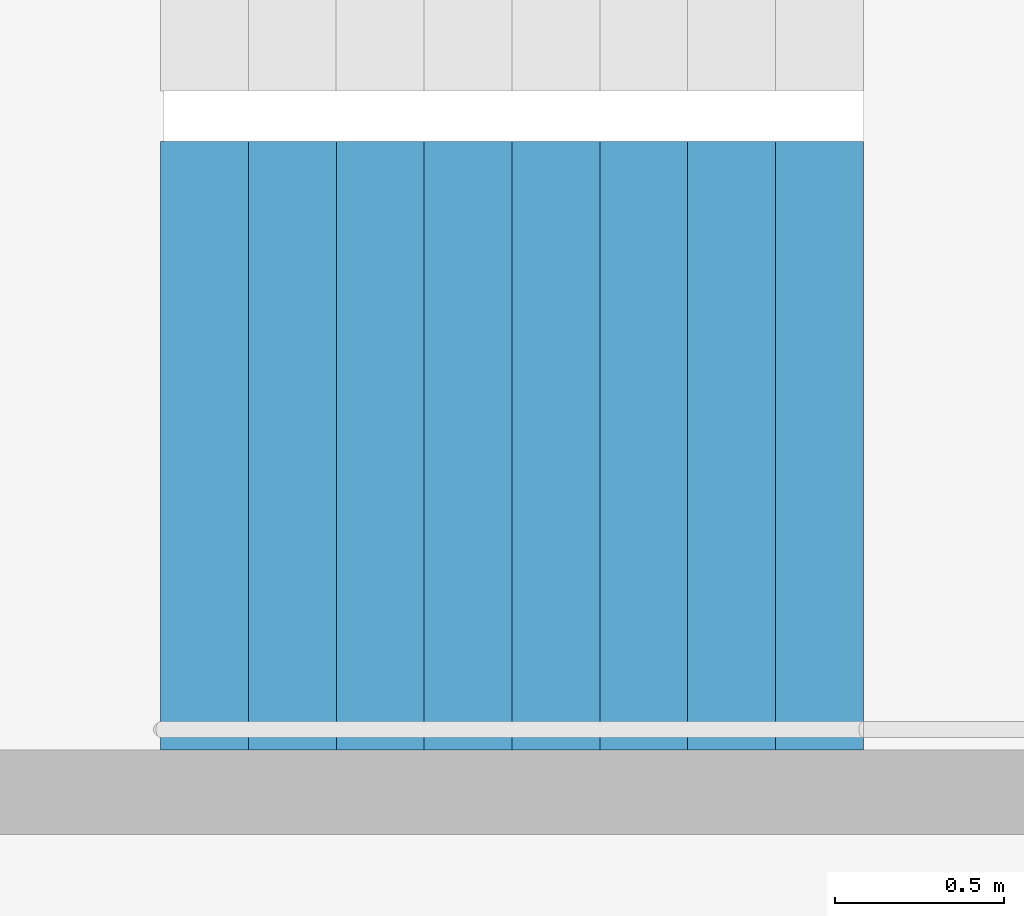
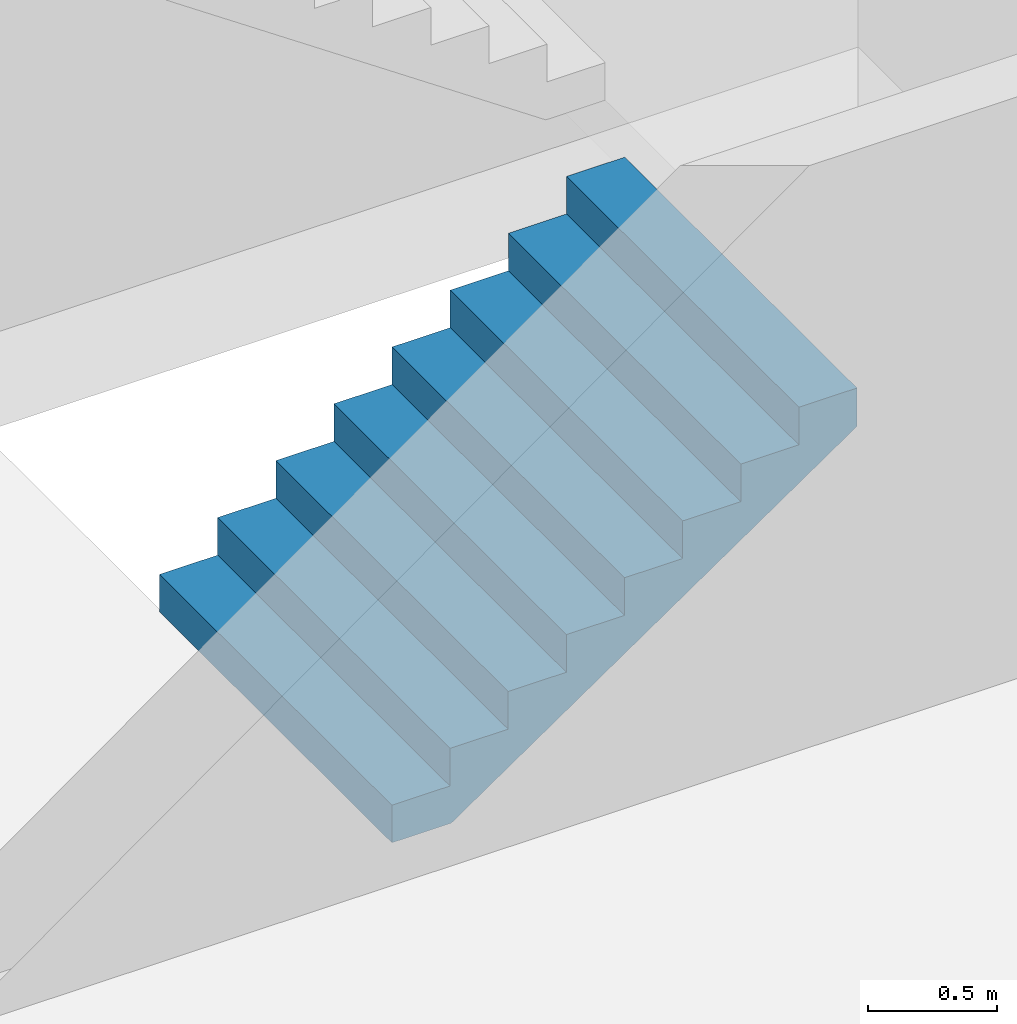
# One storey, part 20 of 26: 1 stair flight, 1 element without a shape of its own.
"""IFC4 building model written with IfcOpenShell, lengths in metres."""

from ifc_helpers import new_model, si_unit, direction, frame, origin, place, context, subcontext, project, spatial, triangles, material, type_object, element, aggregate, save


model = new_model("IFC4")

# Units and contexts
model_context = context("Model", 3, precision=1e-05, world=origin(), true_north=direction((0.0, 1.0)))
body_context = subcontext(model_context, "Body", "Model", "MODEL_VIEW")
ifc_project = project(units=[si_unit("LENGTHUNIT", "METRE"), si_unit("AREAUNIT", "SQUARE_METRE"), si_unit("VOLUMEUNIT", "CUBIC_METRE"), si_unit("PLANEANGLEUNIT", "RADIAN"), si_unit("MASSUNIT", "GRAM", prefix="KILO")], contexts=[model_context])

# Site, building, storey
site_placement = place(None, origin())
site = spatial("IfcSite", under=ifc_project, at=site_placement, CompositionType="ELEMENT")
building_placement = place(site_placement, origin())
building = spatial("IfcBuilding", under=site, at=building_placement, Name="Hakoniwa Tower and Hamabe Station Hall", CompositionType="ELEMENT")
storey_placement = place(building_placement, frame((0.0, 0.0, 196.199951171875)))
storey = spatial("IfcBuildingStorey", under=building, at=storey_placement, Name="L55", CompositionType="ELEMENT", Elevation=196.199951171875)

# Stair, stair flight
ifc_material_1 = material(Name="Concrete C40", Category="concrete")
stair_type = type_object("IfcStairType", Name="ESCAPE STAIR 1800", PredefinedType="HALF_TURN_STAIR", material=ifc_material_1)
stair_placement = place(storey_placement, origin())
stair = element("IfcStair", 1, at=stair_placement, inside=storey, type_object=stair_type, Name="Escape stair ST-1 L55", PredefinedType="HALF_TURN_STAIR")
ifc_material_2 = material(Name="Concrete C40", Category="concrete")
stair_flight_type = type_object("IfcStairFlightType", Name="STAIR FLIGHT 1800", PredefinedType="STRAIGHT", material=ifc_material_2)
stair_flight_placement = place(storey_placement, frame((-24.39990234375, 4.64990234375, 0.0), z_axis=(0.0, 0.0, 1.0), x_axis=(1.0, 0.0, 0.0)))
stair_flight = element("IfcStairFlight", 2, at=stair_flight_placement, type_object=stair_flight_type, Name="ST-1 flight 1", NumberOfRisers=9, NumberOfTreads=8, PredefinedType="STRAIGHT", RiserHeight=0.177777778, TreadLength=0.26, context=body_context, shape_type="Tessellation", body=[
    triangles([(0.0, 0.89990234375, 0.0), (0.260009765625, 0.89990234375, 0.0), (0.265625, 0.89990234375, 0.0), (0.52001953125, 0.89990234375, 0.174072265625), (0.780029296875, 0.89990234375, 0.351806640625), (1.0400390625, 0.89990234375, 0.529541015625), (1.300048828125, 0.89990234375, 0.707275390625), (1.56005859375, 0.89990234375, 0.885009765625), (1.820068359375, 0.89990234375, 1.062744140625), (2.080078125, 0.89990234375, 1.24072265625), (2.080078125, 0.89990234375, 1.422119140625), (1.820068359375, 0.89990234375, 1.422119140625), (1.820068359375, 0.89990234375, 1.244384765625), (1.56005859375, 0.89990234375, 1.244384765625), (1.56005859375, 0.89990234375, 1.066650390625), (1.300048828125, 0.89990234375, 1.066650390625), (1.300048828125, 0.89990234375, 0.888916015625), (1.0400390625, 0.89990234375, 0.888916015625), (1.0400390625, 0.89990234375, 0.711181640625), (0.780029296875, 0.89990234375, 0.711181640625), (0.780029296875, 0.89990234375, 0.533447265625), (0.52001953125, 0.89990234375, 0.533447265625), (0.52001953125, 0.89990234375, 0.35546875), (0.265625, 0.89990234375, 0.35546875), (0.260009765625, 0.89990234375, 0.35546875), (0.260009765625, 0.89990234375, 0.177734375), (0.0, 0.89990234375, 0.177734375), (0.0, 0.06005859375, 0.0), (0.260009765625, 0.06005859375, 0.0), (0.265625, 0.06005859375, 0.0), (0.52001953125, 0.06005859375, 0.174072265625), (0.780029296875, 0.06005859375, 0.351806640625), (1.0400390625, 0.06005859375, 0.529541015625), (1.300048828125, 0.06005859375, 0.707275390625), (1.56005859375, 0.06005859375, 0.885009765625), (1.820068359375, 0.06005859375, 1.062744140625), (2.080078125, 0.06005859375, 1.24072265625), (2.080078125, 0.06005859375, 1.422119140625), (1.820068359375, 0.06005859375, 1.422119140625), (1.820068359375, 0.06005859375, 1.244384765625), (1.56005859375, 0.06005859375, 1.244384765625), (1.56005859375, 0.06005859375, 1.066650390625), (1.300048828125, 0.06005859375, 1.066650390625), (1.300048828125, 0.06005859375, 0.888916015625), (1.0400390625, 0.06005859375, 0.888916015625), (1.0400390625, 0.06005859375, 0.711181640625), (0.780029296875, 0.06005859375, 0.711181640625), (0.780029296875, 0.06005859375, 0.533447265625), (0.52001953125, 0.06005859375, 0.533447265625), (0.52001953125, 0.06005859375, 0.35546875), (0.265625, 0.06005859375, 0.35546875), (0.260009765625, 0.06005859375, 0.35546875), (0.260009765625, 0.06005859375, 0.177734375), (0.0, 0.06005859375, 0.177734375), (0.0, 0.04296875, 0.0), (0.260009765625, 0.04296875, 0.0), (0.265625, 0.04296875, 0.0), (0.52001953125, 0.04296875, 0.174072265625), (0.780029296875, 0.04296875, 0.351806640625), (1.0400390625, 0.04296875, 0.529541015625), (1.300048828125, 0.04296875, 0.707275390625), (1.56005859375, 0.04296875, 0.885009765625), (1.820068359375, 0.04296875, 1.062744140625), (2.080078125, 0.04296875, 1.24072265625), (2.080078125, 0.04296875, 1.422119140625), (1.820068359375, 0.04296875, 1.422119140625), (1.820068359375, 0.04296875, 1.244384765625), (1.56005859375, 0.04296875, 1.244384765625), (1.56005859375, 0.04296875, 1.066650390625), (1.300048828125, 0.04296875, 1.066650390625), (1.300048828125, 0.04296875, 0.888916015625), (1.0400390625, 0.04296875, 0.888916015625), (1.0400390625, 0.04296875, 0.711181640625), (0.780029296875, 0.04296875, 0.711181640625), (0.780029296875, 0.04296875, 0.533447265625), (0.52001953125, 0.04296875, 0.533447265625), (0.52001953125, 0.04296875, 0.35546875), (0.265625, 0.04296875, 0.35546875), (0.260009765625, 0.04296875, 0.35546875), (0.260009765625, 0.04296875, 0.177734375), (0.0, 0.04296875, 0.177734375), (0.0, 0.025634765625, 0.0), (0.260009765625, 0.025634765625, 0.0), (0.265625, 0.025634765625, 0.0), (0.52001953125, 0.025634765625, 0.174072265625), (0.780029296875, 0.025634765625, 0.351806640625), (1.0400390625, 0.025634765625, 0.529541015625), (1.300048828125, 0.025634765625, 0.707275390625), (1.56005859375, 0.025634765625, 0.885009765625), (1.820068359375, 0.025634765625, 1.062744140625), (2.080078125, 0.025634765625, 1.24072265625), (2.080078125, 0.025634765625, 1.422119140625), (1.820068359375, 0.025634765625, 1.422119140625), (1.820068359375, 0.025634765625, 1.244384765625), (1.56005859375, 0.025634765625, 1.244384765625), (1.56005859375, 0.025634765625, 1.066650390625), (1.300048828125, 0.025634765625, 1.066650390625), (1.300048828125, 0.025634765625, 0.888916015625), (1.0400390625, 0.025634765625, 0.888916015625), (1.0400390625, 0.025634765625, 0.711181640625), (0.780029296875, 0.025634765625, 0.711181640625), (0.780029296875, 0.025634765625, 0.533447265625), (0.52001953125, 0.025634765625, 0.533447265625), (0.52001953125, 0.025634765625, 0.35546875), (0.265625, 0.025634765625, 0.35546875), (0.260009765625, 0.025634765625, 0.35546875), (0.260009765625, 0.025634765625, 0.177734375), (0.0, 0.025634765625, 0.177734375), (0.0, 0.008544921875, 0.0), (0.260009765625, 0.008544921875, 0.0), (0.265625, 0.008544921875, 0.0), (0.52001953125, 0.008544921875, 0.174072265625), (0.780029296875, 0.008544921875, 0.351806640625), (1.0400390625, 0.008544921875, 0.529541015625), (1.300048828125, 0.008544921875, 0.707275390625), (1.56005859375, 0.008544921875, 0.885009765625), (1.820068359375, 0.008544921875, 1.062744140625), (2.080078125, 0.008544921875, 1.24072265625), (2.080078125, 0.008544921875, 1.422119140625), (1.820068359375, 0.008544921875, 1.422119140625), (1.820068359375, 0.008544921875, 1.244384765625), (1.56005859375, 0.008544921875, 1.244384765625), (1.56005859375, 0.008544921875, 1.066650390625), (1.300048828125, 0.008544921875, 1.066650390625), (1.300048828125, 0.008544921875, 0.888916015625), (1.0400390625, 0.008544921875, 0.888916015625), (1.0400390625, 0.008544921875, 0.711181640625), (0.780029296875, 0.008544921875, 0.711181640625), (0.780029296875, 0.008544921875, 0.533447265625), (0.52001953125, 0.008544921875, 0.533447265625), (0.52001953125, 0.008544921875, 0.35546875), (0.265625, 0.008544921875, 0.35546875), (0.260009765625, 0.008544921875, 0.35546875), (0.260009765625, 0.008544921875, 0.177734375), (0.0, 0.008544921875, 0.177734375), (0.0, -0.008544921875, 0.0), (0.260009765625, -0.008544921875, 0.0), (0.265625, -0.008544921875, 0.0), (0.52001953125, -0.008544921875, 0.174072265625), (0.780029296875, -0.008544921875, 0.351806640625), (1.0400390625, -0.008544921875, 0.529541015625), (1.300048828125, -0.008544921875, 0.707275390625), (1.56005859375, -0.008544921875, 0.885009765625), (1.820068359375, -0.008544921875, 1.062744140625), (2.080078125, -0.008544921875, 1.24072265625), (2.080078125, -0.008544921875, 1.422119140625), (1.820068359375, -0.008544921875, 1.422119140625), (1.820068359375, -0.008544921875, 1.244384765625), (1.56005859375, -0.008544921875, 1.244384765625), (1.56005859375, -0.008544921875, 1.066650390625), (1.300048828125, -0.008544921875, 1.066650390625), (1.300048828125, -0.008544921875, 0.888916015625), (1.0400390625, -0.008544921875, 0.888916015625), (1.0400390625, -0.008544921875, 0.711181640625), (0.780029296875, -0.008544921875, 0.711181640625), (0.780029296875, -0.008544921875, 0.533447265625), (0.52001953125, -0.008544921875, 0.533447265625), (0.52001953125, -0.008544921875, 0.35546875), (0.265625, -0.008544921875, 0.35546875), (0.260009765625, -0.008544921875, 0.35546875), (0.260009765625, -0.008544921875, 0.177734375), (0.0, -0.008544921875, 0.177734375), (0.0, -0.025634765625, 0.0), (0.260009765625, -0.025634765625, 0.0), (0.265625, -0.025634765625, 0.0), (0.52001953125, -0.025634765625, 0.174072265625), (0.780029296875, -0.025634765625, 0.351806640625), (1.0400390625, -0.025634765625, 0.529541015625), (1.300048828125, -0.025634765625, 0.707275390625), (1.56005859375, -0.025634765625, 0.885009765625), (1.820068359375, -0.025634765625, 1.062744140625), (2.080078125, -0.025634765625, 1.24072265625), (2.080078125, -0.025634765625, 1.422119140625), (1.820068359375, -0.025634765625, 1.422119140625), (1.820068359375, -0.025634765625, 1.244384765625), (1.56005859375, -0.025634765625, 1.244384765625), (1.56005859375, -0.025634765625, 1.066650390625), (1.300048828125, -0.025634765625, 1.066650390625), (1.300048828125, -0.025634765625, 0.888916015625), (1.0400390625, -0.025634765625, 0.888916015625), (1.0400390625, -0.025634765625, 0.711181640625), (0.780029296875, -0.025634765625, 0.711181640625), (0.780029296875, -0.025634765625, 0.533447265625), (0.52001953125, -0.025634765625, 0.533447265625), (0.52001953125, -0.025634765625, 0.35546875), (0.265625, -0.025634765625, 0.35546875), (0.260009765625, -0.025634765625, 0.35546875), (0.260009765625, -0.025634765625, 0.177734375), (0.0, -0.025634765625, 0.177734375), (0.0, -0.04296875, 0.0), (0.260009765625, -0.04296875, 0.0), (0.265625, -0.04296875, 0.0), (0.52001953125, -0.04296875, 0.174072265625), (0.780029296875, -0.04296875, 0.351806640625), (1.0400390625, -0.04296875, 0.529541015625), (1.300048828125, -0.04296875, 0.707275390625), (1.56005859375, -0.04296875, 0.885009765625), (1.820068359375, -0.04296875, 1.062744140625), (2.080078125, -0.04296875, 1.24072265625), (2.080078125, -0.04296875, 1.422119140625), (1.820068359375, -0.04296875, 1.422119140625), (1.820068359375, -0.04296875, 1.244384765625), (1.56005859375, -0.04296875, 1.244384765625), (1.56005859375, -0.04296875, 1.066650390625), (1.300048828125, -0.04296875, 1.066650390625), (1.300048828125, -0.04296875, 0.888916015625), (1.0400390625, -0.04296875, 0.888916015625), (1.0400390625, -0.04296875, 0.711181640625), (0.780029296875, -0.04296875, 0.711181640625), (0.780029296875, -0.04296875, 0.533447265625), (0.52001953125, -0.04296875, 0.533447265625), (0.52001953125, -0.04296875, 0.35546875), (0.265625, -0.04296875, 0.35546875), (0.260009765625, -0.04296875, 0.35546875), (0.260009765625, -0.04296875, 0.177734375), (0.0, -0.04296875, 0.177734375), (0.0, -0.06005859375, 0.0), (0.260009765625, -0.06005859375, 0.0), (0.265625, -0.06005859375, 0.0), (0.52001953125, -0.06005859375, 0.174072265625), (0.780029296875, -0.06005859375, 0.351806640625), (1.0400390625, -0.06005859375, 0.529541015625), (1.300048828125, -0.06005859375, 0.707275390625), (1.56005859375, -0.06005859375, 0.885009765625), (1.820068359375, -0.06005859375, 1.062744140625), (2.080078125, -0.06005859375, 1.24072265625), (2.080078125, -0.06005859375, 1.422119140625), (1.820068359375, -0.06005859375, 1.422119140625), (1.820068359375, -0.06005859375, 1.244384765625), (1.56005859375, -0.06005859375, 1.244384765625), (1.56005859375, -0.06005859375, 1.066650390625), (1.300048828125, -0.06005859375, 1.066650390625), (1.300048828125, -0.06005859375, 0.888916015625), (1.0400390625, -0.06005859375, 0.888916015625), (1.0400390625, -0.06005859375, 0.711181640625), (0.780029296875, -0.06005859375, 0.711181640625), (0.780029296875, -0.06005859375, 0.533447265625), (0.52001953125, -0.06005859375, 0.533447265625), (0.52001953125, -0.06005859375, 0.35546875), (0.265625, -0.06005859375, 0.35546875), (0.260009765625, -0.06005859375, 0.35546875), (0.260009765625, -0.06005859375, 0.177734375), (0.0, -0.06005859375, 0.177734375), (0.0, -0.89990234375, 0.0), (0.260009765625, -0.89990234375, 0.0), (0.265625, -0.89990234375, 0.0), (0.52001953125, -0.89990234375, 0.174072265625), (0.780029296875, -0.89990234375, 0.351806640625), (1.0400390625, -0.89990234375, 0.529541015625), (1.300048828125, -0.89990234375, 0.707275390625), (1.56005859375, -0.89990234375, 0.885009765625), (1.820068359375, -0.89990234375, 1.062744140625), (2.080078125, -0.89990234375, 1.24072265625), (2.080078125, -0.89990234375, 1.422119140625), (1.820068359375, -0.89990234375, 1.422119140625), (1.820068359375, -0.89990234375, 1.244384765625), (1.56005859375, -0.89990234375, 1.244384765625), (1.56005859375, -0.89990234375, 1.066650390625), (1.300048828125, -0.89990234375, 1.066650390625), (1.300048828125, -0.89990234375, 0.888916015625), (1.0400390625, -0.89990234375, 0.888916015625), (1.0400390625, -0.89990234375, 0.711181640625), (0.780029296875, -0.89990234375, 0.711181640625), (0.780029296875, -0.89990234375, 0.533447265625), (0.52001953125, -0.89990234375, 0.533447265625), (0.52001953125, -0.89990234375, 0.35546875), (0.265625, -0.89990234375, 0.35546875), (0.260009765625, -0.89990234375, 0.35546875), (0.260009765625, -0.89990234375, 0.177734375), (0.0, -0.89990234375, 0.177734375)], [[2, 27, 26], [245, 269, 270], [2, 1, 27], [245, 270, 244], [3, 25, 24], [246, 267, 268], [3, 26, 25], [246, 268, 269], [3, 2, 26], [246, 269, 245], [4, 24, 23], [247, 266, 267], [4, 3, 24], [247, 267, 246], [5, 22, 21], [248, 264, 265], [5, 23, 22], [248, 265, 266], [5, 4, 23], [248, 266, 247], [6, 20, 19], [249, 262, 263], [6, 21, 20], [249, 263, 264], [6, 5, 21], [249, 264, 248], [7, 18, 17], [250, 260, 261], [7, 19, 18], [250, 261, 262], [7, 6, 19], [250, 262, 249], [8, 16, 15], [251, 258, 259], [8, 17, 16], [251, 259, 260], [8, 7, 17], [251, 260, 250], [9, 14, 13], [252, 256, 257], [9, 15, 14], [252, 257, 258], [9, 8, 15], [252, 258, 251], [10, 12, 11], [253, 254, 255], [10, 13, 12], [253, 255, 256], [10, 9, 13], [253, 256, 252], [1, 2, 29], [1, 29, 28], [28, 29, 56], [28, 56, 55], [55, 56, 83], [55, 83, 82], [82, 83, 110], [82, 110, 109], [109, 110, 137], [109, 137, 136], [136, 137, 164], [136, 164, 163], [163, 164, 191], [163, 191, 190], [190, 191, 218], [190, 218, 217], [217, 218, 245], [217, 245, 244], [2, 3, 30], [2, 30, 29], [29, 30, 57], [29, 57, 56], [56, 57, 84], [56, 84, 83], [83, 84, 111], [83, 111, 110], [110, 111, 138], [110, 138, 137], [137, 138, 165], [137, 165, 164], [164, 165, 192], [164, 192, 191], [191, 192, 219], [191, 219, 218], [218, 219, 246], [218, 246, 245], [3, 4, 31], [3, 31, 30], [30, 31, 58], [30, 58, 57], [57, 58, 85], [57, 85, 84], [84, 85, 112], [84, 112, 111], [111, 112, 139], [111, 139, 138], [138, 139, 166], [138, 166, 165], [165, 166, 193], [165, 193, 192], [192, 193, 220], [192, 220, 219], [219, 220, 247], [219, 247, 246], [4, 5, 32], [4, 32, 31], [31, 32, 59], [31, 59, 58], [58, 59, 86], [58, 86, 85], [85, 86, 113], [85, 113, 112], [112, 113, 140], [112, 140, 139], [139, 140, 167], [139, 167, 166], [166, 167, 194], [166, 194, 193], [193, 194, 221], [193, 221, 220], [220, 221, 248], [220, 248, 247], [5, 6, 33], [5, 33, 32], [32, 33, 60], [32, 60, 59], [59, 60, 87], [59, 87, 86], [86, 87, 114], [86, 114, 113], [113, 114, 141], [113, 141, 140], [140, 141, 168], [140, 168, 167], [167, 168, 195], [167, 195, 194], [194, 195, 222], [194, 222, 221], [221, 222, 249], [221, 249, 248], [6, 7, 34], [6, 34, 33], [33, 34, 61], [33, 61, 60], [60, 61, 88], [60, 88, 87], [87, 88, 115], [87, 115, 114], [114, 115, 142], [114, 142, 141], [141, 142, 169], [141, 169, 168], [168, 169, 196], [168, 196, 195], [195, 196, 223], [195, 223, 222], [222, 223, 250], [222, 250, 249], [7, 8, 35], [7, 35, 34], [34, 35, 62], [34, 62, 61], [61, 62, 89], [61, 89, 88], [88, 89, 116], [88, 116, 115], [115, 116, 143], [115, 143, 142], [142, 143, 170], [142, 170, 169], [169, 170, 197], [169, 197, 196], [196, 197, 224], [196, 224, 223], [223, 224, 251], [223, 251, 250], [8, 9, 36], [8, 36, 35], [35, 36, 63], [35, 63, 62], [62, 63, 90], [62, 90, 89], [89, 90, 117], [89, 117, 116], [116, 117, 144], [116, 144, 143], [143, 144, 171], [143, 171, 170], [170, 171, 198], [170, 198, 197], [197, 198, 225], [197, 225, 224], [224, 225, 252], [224, 252, 251], [9, 10, 37], [9, 37, 36], [36, 37, 64], [36, 64, 63], [63, 64, 91], [63, 91, 90], [90, 91, 118], [90, 118, 117], [117, 118, 145], [117, 145, 144], [144, 145, 172], [144, 172, 171], [171, 172, 199], [171, 199, 198], [198, 199, 226], [198, 226, 225], [225, 226, 253], [225, 253, 252], [10, 11, 38], [10, 38, 37], [37, 38, 65], [37, 65, 64], [64, 65, 92], [64, 92, 91], [91, 92, 119], [91, 119, 118], [118, 119, 146], [118, 146, 145], [145, 146, 173], [145, 173, 172], [172, 173, 200], [172, 200, 199], [199, 200, 227], [199, 227, 226], [226, 227, 254], [226, 254, 253], [11, 12, 39], [11, 39, 38], [38, 39, 66], [38, 66, 65], [65, 66, 93], [65, 93, 92], [92, 93, 120], [92, 120, 119], [119, 120, 147], [119, 147, 146], [146, 147, 174], [146, 174, 173], [173, 174, 201], [173, 201, 200], [200, 201, 228], [200, 228, 227], [227, 228, 255], [227, 255, 254], [12, 13, 40], [12, 40, 39], [39, 40, 67], [39, 67, 66], [66, 67, 94], [66, 94, 93], [93, 94, 121], [93, 121, 120], [120, 121, 148], [120, 148, 147], [147, 148, 175], [147, 175, 174], [174, 175, 202], [174, 202, 201], [201, 202, 229], [201, 229, 228], [228, 229, 256], [228, 256, 255], [13, 14, 41], [13, 41, 40], [40, 41, 68], [40, 68, 67], [67, 68, 95], [67, 95, 94], [94, 95, 122], [94, 122, 121], [121, 122, 149], [121, 149, 148], [148, 149, 176], [148, 176, 175], [175, 176, 203], [175, 203, 202], [202, 203, 230], [202, 230, 229], [229, 230, 257], [229, 257, 256], [14, 15, 42], [14, 42, 41], [41, 42, 69], [41, 69, 68], [68, 69, 96], [68, 96, 95], [95, 96, 123], [95, 123, 122], [122, 123, 150], [122, 150, 149], [149, 150, 177], [149, 177, 176], [176, 177, 204], [176, 204, 203], [203, 204, 231], [203, 231, 230], [230, 231, 258], [230, 258, 257], [15, 16, 43], [15, 43, 42], [42, 43, 70], [42, 70, 69], [69, 70, 97], [69, 97, 96], [96, 97, 124], [96, 124, 123], [123, 124, 151], [123, 151, 150], [150, 151, 178], [150, 178, 177], [177, 178, 205], [177, 205, 204], [204, 205, 232], [204, 232, 231], [231, 232, 259], [231, 259, 258], [16, 17, 44], [16, 44, 43], [43, 44, 71], [43, 71, 70], [70, 71, 98], [70, 98, 97], [97, 98, 125], [97, 125, 124], [124, 125, 152], [124, 152, 151], [151, 152, 179], [151, 179, 178], [178, 179, 206], [178, 206, 205], [205, 206, 233], [205, 233, 232], [232, 233, 260], [232, 260, 259], [17, 18, 45], [17, 45, 44], [44, 45, 72], [44, 72, 71], [71, 72, 99], [71, 99, 98], [98, 99, 126], [98, 126, 125], [125, 126, 153], [125, 153, 152], [152, 153, 180], [152, 180, 179], [179, 180, 207], [179, 207, 206], [206, 207, 234], [206, 234, 233], [233, 234, 261], [233, 261, 260], [18, 19, 46], [18, 46, 45], [45, 46, 73], [45, 73, 72], [72, 73, 100], [72, 100, 99], [99, 100, 127], [99, 127, 126], [126, 127, 154], [126, 154, 153], [153, 154, 181], [153, 181, 180], [180, 181, 208], [180, 208, 207], [207, 208, 235], [207, 235, 234], [234, 235, 262], [234, 262, 261], [19, 20, 47], [19, 47, 46], [46, 47, 74], [46, 74, 73], [73, 74, 101], [73, 101, 100], [100, 101, 128], [100, 128, 127], [127, 128, 155], [127, 155, 154], [154, 155, 182], [154, 182, 181], [181, 182, 209], [181, 209, 208], [208, 209, 236], [208, 236, 235], [235, 236, 263], [235, 263, 262], [20, 21, 48], [20, 48, 47], [47, 48, 75], [47, 75, 74], [74, 75, 102], [74, 102, 101], [101, 102, 129], [101, 129, 128], [128, 129, 156], [128, 156, 155], [155, 156, 183], [155, 183, 182], [182, 183, 210], [182, 210, 209], [209, 210, 237], [209, 237, 236], [236, 237, 264], [236, 264, 263], [21, 22, 49], [21, 49, 48], [48, 49, 76], [48, 76, 75], [75, 76, 103], [75, 103, 102], [102, 103, 130], [102, 130, 129], [129, 130, 157], [129, 157, 156], [156, 157, 184], [156, 184, 183], [183, 184, 211], [183, 211, 210], [210, 211, 238], [210, 238, 237], [237, 238, 265], [237, 265, 264], [22, 23, 50], [22, 50, 49], [49, 50, 77], [49, 77, 76], [76, 77, 104], [76, 104, 103], [103, 104, 131], [103, 131, 130], [130, 131, 158], [130, 158, 157], [157, 158, 185], [157, 185, 184], [184, 185, 212], [184, 212, 211], [211, 212, 239], [211, 239, 238], [238, 239, 266], [238, 266, 265], [23, 24, 51], [23, 51, 50], [50, 51, 78], [50, 78, 77], [77, 78, 105], [77, 105, 104], [104, 105, 132], [104, 132, 131], [131, 132, 159], [131, 159, 158], [158, 159, 186], [158, 186, 185], [185, 186, 213], [185, 213, 212], [212, 213, 240], [212, 240, 239], [239, 240, 267], [239, 267, 266], [24, 25, 52], [24, 52, 51], [51, 52, 79], [51, 79, 78], [78, 79, 106], [78, 106, 105], [105, 106, 133], [105, 133, 132], [132, 133, 160], [132, 160, 159], [159, 160, 187], [159, 187, 186], [186, 187, 214], [186, 214, 213], [213, 214, 241], [213, 241, 240], [240, 241, 268], [240, 268, 267], [25, 26, 53], [25, 53, 52], [52, 53, 80], [52, 80, 79], [79, 80, 107], [79, 107, 106], [106, 107, 134], [106, 134, 133], [133, 134, 161], [133, 161, 160], [160, 161, 188], [160, 188, 187], [187, 188, 215], [187, 215, 214], [214, 215, 242], [214, 242, 241], [241, 242, 269], [241, 269, 268], [26, 27, 54], [26, 54, 53], [53, 54, 81], [53, 81, 80], [80, 81, 108], [80, 108, 107], [107, 108, 135], [107, 135, 134], [134, 135, 162], [134, 162, 161], [161, 162, 189], [161, 189, 188], [188, 189, 216], [188, 216, 215], [215, 216, 243], [215, 243, 242], [242, 243, 270], [242, 270, 269], [27, 1, 28], [27, 28, 54], [54, 28, 55], [54, 55, 81], [81, 55, 82], [81, 82, 108], [108, 82, 109], [108, 109, 135], [135, 109, 136], [135, 136, 162], [162, 136, 163], [162, 163, 189], [189, 163, 190], [189, 190, 216], [216, 190, 217], [216, 217, 243], [243, 217, 244], [243, 244, 270]], closed=True),
])
aggregate(stair, [stair_flight])

save(model, "model.ifc")
